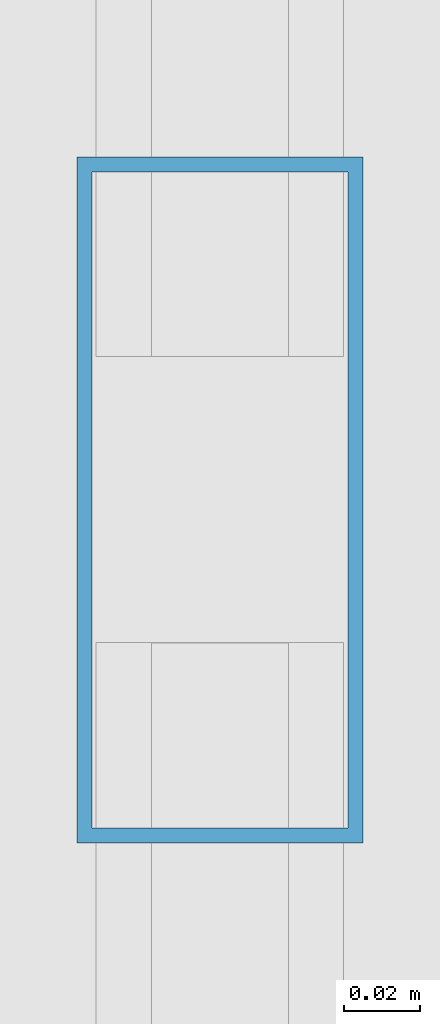
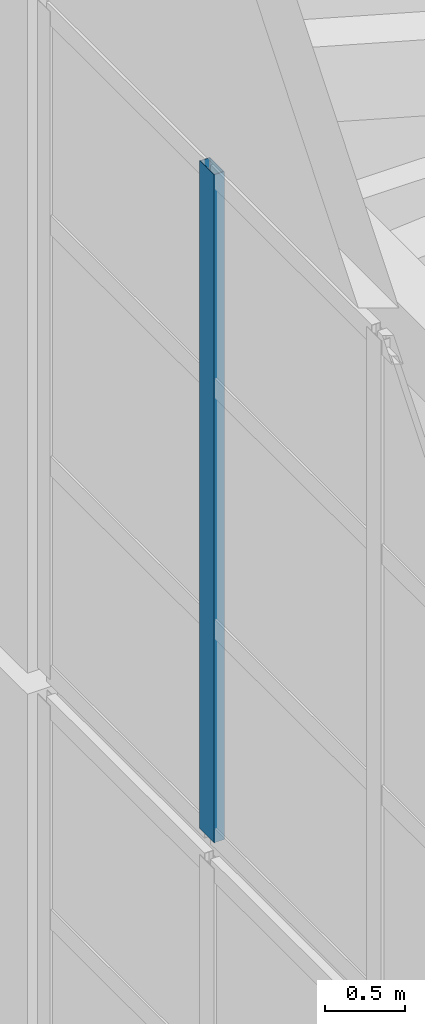
# One storey, part 18 of 47: 1 member, 1 element without a shape of its own.
"""IFC4 building model written with IfcOpenShell, lengths in metres."""

import ifcopenshell
import ifcopenshell.guid

model = None  # the IFC model being written
_history = None  # IfcOwnerHistory: only IFC2X3 demands one
_inside = {}  # id of a spatial element -> (the spatial element, [elements in it])
_under = {}  # id of a project, library or spatial element -> (it, [spatial elements below it])
_declared = {}  # id of a project -> (the project, [libraries it declares])
_typed = {}  # id of a type object -> (the type object, [elements of that type])
_made_of = {}  # id of a material, layer set ... -> (it, [elements and type objects made of it])


def new_model(schema):
    """Start an empty IFC model of exactly this schema.

    Asked for "IFC4X3", IfcOpenShell would pick the latest addendum, in which some entities
    have other attributes; the version numbers below select the first issue.
    IFC2X3 requires an IfcOwnerHistory on every rooted entity: one is made here for all.
    """
    global model, _history
    if schema == "IFC4X3":
        model = ifcopenshell.file(schema_version=(4, 3, 0, 0))
    else:
        model = ifcopenshell.file(schema=schema)
    _inside.clear()
    _under.clear()
    _declared.clear()
    _typed.clear()
    _made_of.clear()
    _history = None
    if model.schema == "IFC2X3":
        org = make("IfcOrganization", Name="unknown")
        user = make(
            "IfcPersonAndOrganization",
            ThePerson=make("IfcPerson", FamilyName="unknown"),
            TheOrganization=org,
        )
        app = make(
            "IfcApplication",
            ApplicationDeveloper=org,
            Version="unknown",
            ApplicationFullName="unknown",
            ApplicationIdentifier="unknown",
        )
        _history = make(
            "IfcOwnerHistory",
            OwningUser=user,
            OwningApplication=app,
            ChangeAction="ADDED",
            CreationDate=0,
        )
    return model


def make(cls, **values):
    """One entity of the class cls with the attributes given. An attribute that is None is left unset."""
    return model.create_entity(
        cls, **{name: value for name, value in values.items() if value is not None}
    )


def rooted(cls, **values):
    """An entity with a GlobalId (a new one), such as an element, a storey or a relation."""
    return make(cls, GlobalId=ifcopenshell.guid.new(), OwnerHistory=_history, **values)


def si_unit(unit_type, name, prefix=None):
    """IfcSIUnit, for example si_unit("LENGTHUNIT", "METRE", prefix="MILLI")."""
    return make("IfcSIUnit", UnitType=unit_type, Prefix=prefix, Name=name)


def assignment(units):
    """IfcUnitAssignment: the units of a project."""
    return None if units is None else make("IfcUnitAssignment", Units=units)


def point(xyz):
    """IfcCartesianPoint."""
    return None if xyz is None else make("IfcCartesianPoint", Coordinates=xyz)


def direction(xyz):
    """IfcDirection."""
    return None if xyz is None else make("IfcDirection", DirectionRatios=xyz)


def frame(location, z_axis=None, x_axis=None):
    """IfcAxis2Placement3D, a coordinate frame: its origin and axes. An axis left out is left unset."""
    return make(
        "IfcAxis2Placement3D",
        Location=point(location),
        Axis=direction(z_axis),
        RefDirection=direction(x_axis),
    )


def frame_2d(location, x_axis=None):
    """IfcAxis2Placement2D, a coordinate frame in the plane: its origin and x axis."""
    return make(
        "IfcAxis2Placement2D", Location=point(location), RefDirection=direction(x_axis)
    )


def origin():
    """The frame at (0, 0, 0) with its axes left unset."""
    return frame((0.0, 0.0, 0.0))


def origin_2d():
    """The frame at (0, 0) in the plane with its x axis left unset."""
    return frame_2d((0.0, 0.0))


def place(relative_to, where):
    """IfcLocalPlacement: puts the frame where relative to a parent placement (None: the world)."""
    return make(
        "IfcLocalPlacement", PlacementRelTo=relative_to, RelativePlacement=where
    )


def context(
    kind, dimensions, precision=None, world=None, true_north=None, identifier=None
):
    """IfcGeometricRepresentationContext, for example the 3D "Model" context."""
    return make(
        "IfcGeometricRepresentationContext",
        ContextIdentifier=identifier,
        ContextType=kind,
        CoordinateSpaceDimension=dimensions,
        Precision=precision,
        WorldCoordinateSystem=world,
        TrueNorth=true_north,
    )


def subcontext(parent, identifier, kind, view, scale=None):
    """IfcGeometricRepresentationSubContext, for example "Body" below "Model"."""
    return make(
        "IfcGeometricRepresentationSubContext",
        ContextIdentifier=identifier,
        ContextType=kind,
        ParentContext=parent,
        TargetScale=scale,
        TargetView=view,
    )


def project(units=None, contexts=None):
    """IfcProject with its units and contexts."""
    return rooted(
        "IfcProject",
        Name="project",
        RepresentationContexts=contexts,
        UnitsInContext=assignment(units),
    )


def spatial(cls, under=None, at=None, **own):
    """A site, building, storey or space (cls), placed at a placement, below another one or the project."""
    s = rooted(cls, ObjectPlacement=at, **own)
    if under is not None:
        _under.setdefault(under.id(), (under, []))[1].append(s)
    return s


def profile(cls, at=None, kind="AREA", **sizes):
    """A parametric profile (cls). Its sizes go by their IFC names, for example OverallWidth=200.0."""
    return make(cls, ProfileType=kind, Position=at, **sizes)


def hollow_rectangle(**sizes):
    """IfcRectangleHollowProfileDef."""
    return profile("IfcRectangleHollowProfileDef", **sizes)


def extrude(swept, where, along, depth):
    """IfcExtrudedAreaSolid: the profile swept, set in the frame where, extruded along a direction by depth."""
    return make(
        "IfcExtrudedAreaSolid",
        SweptArea=swept,
        Position=where,
        ExtrudedDirection=direction(along),
        Depth=depth,
    )


def shape(context_of_items, identifier, shape_type, items):
    """IfcShapeRepresentation: the items that make up one representation, for example the "Body"."""
    return make(
        "IfcShapeRepresentation",
        ContextOfItems=context_of_items,
        RepresentationIdentifier=identifier,
        RepresentationType=shape_type,
        Items=items,
    )


def material(Name=None, Category=None):
    """IfcMaterial."""
    return make("IfcMaterial", Name=Name, Category=Category)


def layer(
    of_material, thickness, ventilated=None, Name=None, Category=None, Priority=None
):
    """IfcMaterialLayer: one layer of a wall or slab, of a material (None: an air gap)."""
    return make(
        "IfcMaterialLayer",
        Material=of_material,
        LayerThickness=thickness,
        IsVentilated=ventilated,
        Name=Name,
        Category=Category,
        Priority=Priority,
    )


def layer_set(layers, Name=None):
    """IfcMaterialLayerSet."""
    return make("IfcMaterialLayerSet", MaterialLayers=layers, LayerSetName=Name)


def material_profile(
    of_material, cross_section, Name=None, Category=None, Priority=None
):
    """IfcMaterialProfile: a cross section and its material."""
    return make(
        "IfcMaterialProfile",
        Name=Name,
        Material=of_material,
        Profile=cross_section,
        Priority=Priority,
        Category=Category,
    )


def profile_set(profiles, Name=None, composite=None):
    """IfcMaterialProfileSet."""
    return make(
        "IfcMaterialProfileSet",
        Name=Name,
        MaterialProfiles=profiles,
        CompositeProfile=composite,
    )


def made_of(thing, what):
    """Note that an element or type object is made of a material, layer set ...; save() writes the relation."""
    if what is not None:
        _made_of.setdefault(what.id(), (what, []))[1].append(thing)
    return thing


def type_object(cls, material=None, **own):
    """A type object (cls), such as IfcWallType, which elements share."""
    return made_of(rooted(cls, **own), material)


def element(
    cls,
    number,
    at=None,
    inside=None,
    cuts=None,
    type_object=None,
    material=None,
    context=None,
    identifier="Body",
    shape_type=None,
    held_by="IfcProductDefinitionShape",
    body=None,
    shapes=None,
    **own,
):
    """One element of the class cls, such as IfcWall. Its Tag is "e" and its number.

    at: its placement. inside: the storey or other place that contains it. cuts: it is an
    opening in that element (IfcRelVoidsElement). A single representation is given by context,
    identifier, shape_type and body (its items); several are given by shapes. held_by: the class
    of the entity that holds the representations. save() writes the other relations.
    """
    e = rooted(cls, Tag="e%d" % number, ObjectPlacement=at, **own)
    if body is not None:
        shapes = [shape(context, identifier, shape_type, body)]
    if shapes is not None:
        e.Representation = make(held_by, Representations=shapes)
    if inside is not None:
        _inside.setdefault(inside.id(), (inside, []))[1].append(e)
    if cuts is not None:
        rooted(
            "IfcRelVoidsElement", RelatingBuildingElement=cuts, RelatedOpeningElement=e
        )
    if type_object is not None:
        _typed.setdefault(type_object.id(), (type_object, []))[1].append(e)
    return made_of(e, material)


def aggregate(whole, parts):
    """IfcRelAggregates: a whole, such as a stair, and the parts it consists of."""
    return rooted("IfcRelAggregates", RelatingObject=whole, RelatedObjects=parts)


def save(model, path):
    """Write the relations noted so far, then the file.

    IfcRelAggregates (storeys below a building ...), IfcRelContainedInSpatialStructure (elements
    in a storey), IfcRelDefinesByType, IfcRelAssociatesMaterial and IfcRelDeclares: one each for
    every whole, place, type object, material and project.
    """
    for whole, parts in _under.values():
        aggregate(whole, parts)
    for where, things in _inside.values():
        rooted(
            "IfcRelContainedInSpatialStructure",
            RelatedElements=things,
            RelatingStructure=where,
        )
    for kind, things in _typed.values():
        rooted("IfcRelDefinesByType", RelatedObjects=things, RelatingType=kind)
    for what, things in _made_of.values():
        rooted("IfcRelAssociatesMaterial", RelatedObjects=things, RelatingMaterial=what)
    for by, libraries in _declared.values():
        rooted("IfcRelDeclares", RelatingContext=by, RelatedDefinitions=libraries)
    model.write(path)


model = new_model("IFC4")

# Units and contexts
model_context = context("Model", 3, precision=1e-05, world=origin(), true_north=direction((0.0, 1.0)))
body_context = subcontext(model_context, "Body", "Model", "MODEL_VIEW")
ifc_project = project(units=[si_unit("LENGTHUNIT", "METRE"), si_unit("AREAUNIT", "SQUARE_METRE"), si_unit("VOLUMEUNIT", "CUBIC_METRE"), si_unit("PLANEANGLEUNIT", "RADIAN"), si_unit("MASSUNIT", "GRAM", prefix="KILO")], contexts=[model_context])

# Site, building, storey
site_placement = place(None, origin())
site = spatial("IfcSite", under=ifc_project, at=site_placement, CompositionType="ELEMENT")
building_placement = place(site_placement, origin())
building = spatial("IfcBuilding", under=site, at=building_placement, Name="Qiaolan Cultural Towers", CompositionType="ELEMENT")
storey_placement = place(building_placement, frame((0.0, 0.0, 280.199951171875)))
storey = spatial("IfcBuildingStorey", under=building, at=storey_placement, Name="RF", CompositionType="ELEMENT", Elevation=280.199951171875)

# Curtain wall, member
ifc_material_1 = material(Name="Unitized Anodized Aluminium Curtain Wall System", Category="aluminium")
ifc_layer = layer(ifc_material_1, 0.199951171875)
ifc_layer_set = layer_set([ifc_layer], Name="Unitized Anodized Aluminium Curtain Wall System")
curtain_wall_type = type_object("IfcCurtainWallType", Name="CWS-06", PredefinedType="NOTDEFINED", material=ifc_layer_set)
curtain_wall_placement = place(storey_placement, origin())
curtain_wall = element("IfcCurtainWall", 1, at=curtain_wall_placement, inside=storey, type_object=curtain_wall_type, Name="T1 Crown Tier 5 Fritted Screen Curtain Wall 7", PredefinedType="NOTDEFINED")
ifc_material_2 = material(Name="Extruded Aluminium 6063-T6", Category="aluminium")
ifc_material_profile = material_profile(ifc_material_2, hollow_rectangle(XDim=0.074951171875, YDim=0.179931640625, WallThickness=0.00390625, at=origin_2d()), Name="CWM-180x75x4")
ifc_profile_set = profile_set([ifc_material_profile], Name="Extruded Aluminium 6063-T6")
member_type = type_object("IfcMemberType", Name="CWS-06-MUL", PredefinedType="MULLION", material=ifc_profile_set)
member_placement = place(storey_placement, frame((14.949951171875, 38.179931640625, 21.300048828125), z_axis=(0.0, 0.0, 1.0), x_axis=(1.0, 0.0, 0.0)))
member = element("IfcMember", 2, at=member_placement, type_object=member_type, Name="CW-6 mullion 2", PredefinedType="MULLION", context=body_context, shape_type="SweptSolid", body=[
    extrude(hollow_rectangle(XDim=0.074951171875, YDim=0.179931640625, WallThickness=0.00390625, at=origin_2d()), origin(), (0.0, 0.0, 1.0), 5.10009765625),
])
aggregate(curtain_wall, [member])

save(model, "model.ifc")
